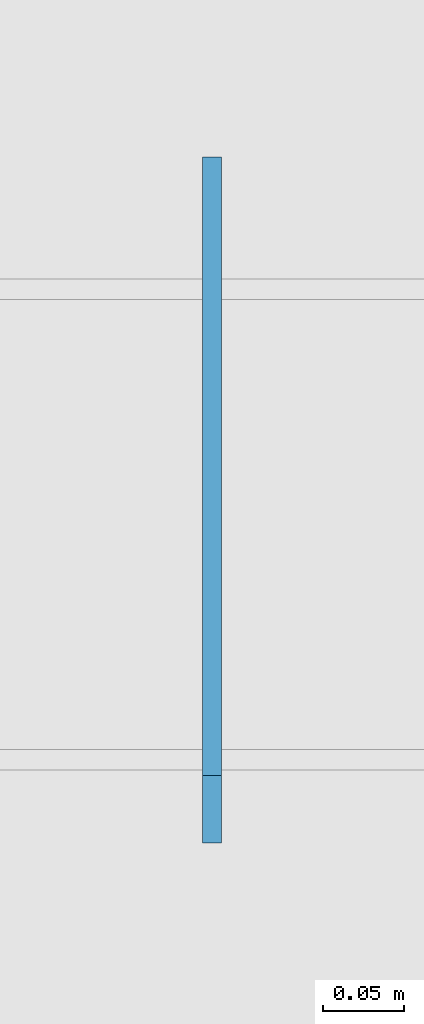
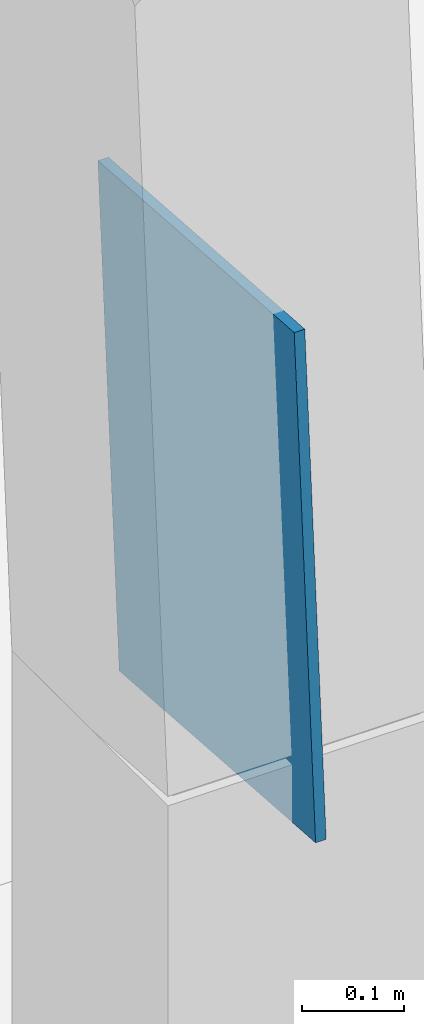
# One storey, part 104 of 130: 1 discrete accessory.
"""IFC4 building model written with IfcOpenShell, lengths in metres."""

from ifc_helpers import new_model, si_unit, direction, frame, origin, place, context, subcontext, project, spatial, polyline, outline, extrude, material, layer, layer_set, type_object, element, save


model = new_model("IFC4")

# Units and contexts
model_context = context("Model", 3, precision=1e-05, world=origin(), true_north=direction((0.0, 1.0)))
body_context = subcontext(model_context, "Body", "Model", "MODEL_VIEW")
ifc_project = project(units=[si_unit("LENGTHUNIT", "METRE"), si_unit("AREAUNIT", "SQUARE_METRE"), si_unit("VOLUMEUNIT", "CUBIC_METRE"), si_unit("PLANEANGLEUNIT", "RADIAN"), si_unit("MASSUNIT", "GRAM", prefix="KILO")], contexts=[model_context])

# Site, building, storey
site_placement = place(None, origin())
site = spatial("IfcSite", under=ifc_project, at=site_placement, CompositionType="ELEMENT")
building_placement = place(site_placement, origin())
building = spatial("IfcBuilding", under=site, at=building_placement, Name="Parallax Yard Mobility Hub", CompositionType="ELEMENT")
storey_placement = place(building_placement, origin())
storey = spatial("IfcBuildingStorey", under=building, at=storey_placement, Name="L00", CompositionType="ELEMENT", Elevation=0.0)

# Discrete accessory
ifc_material = material(Name="Steel ASTM A36", Category="steel")
ifc_layer = layer(ifc_material, 0.011962890625)
ifc_layer_set = layer_set([ifc_layer], Name="Gusset plate PL12")
discrete_accessory_type = type_object("IfcDiscreteAccessoryType", Name="Gusset plate PL12", PredefinedType="BRACKET", material=ifc_layer_set)
discrete_accessory_placement = place(storey_placement, frame((57.0, 56.84423828125, 1.517333984375), z_axis=(1.0, 0.0, 0.0), x_axis=(0.0, -0.071395405491, -0.99744809192)))
element("IfcDiscreteAccessory", 1, at=discrete_accessory_placement, inside=storey, type_object=discrete_accessory_type, Name="Gusset plate PL12 at end 1 of Prow strut F9", PredefinedType="BRACKET", context=body_context, shape_type="SweptSolid", body=[
    extrude(outline(polyline([(0.0, 0.0), (0.5847441664882211, -6.938893903907228e-18), (0.5848608796119752, 0.3847793167281898), (0.00011671312375409124, 0.3847793167281899), (0.0, 0.0)])), origin(), (0.0, 0.0, -1.0), 0.011962890625),
])

save(model, "model.ifc")
